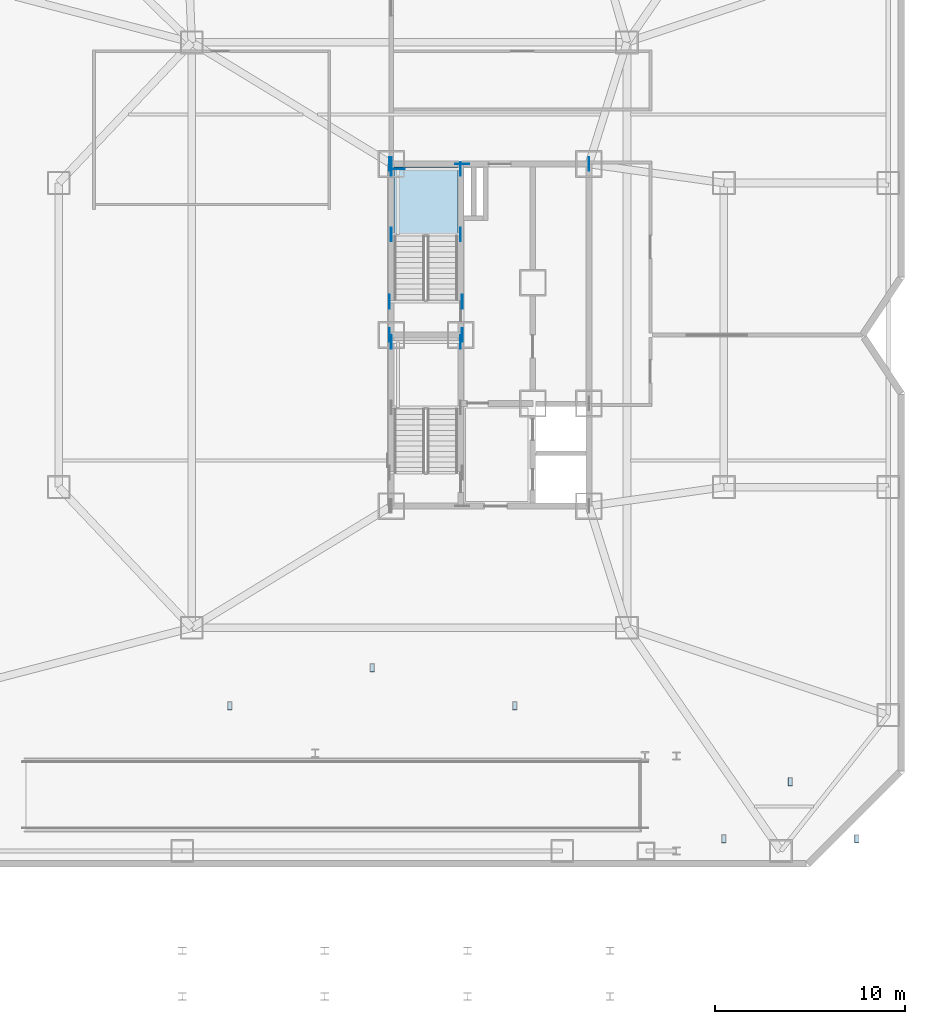
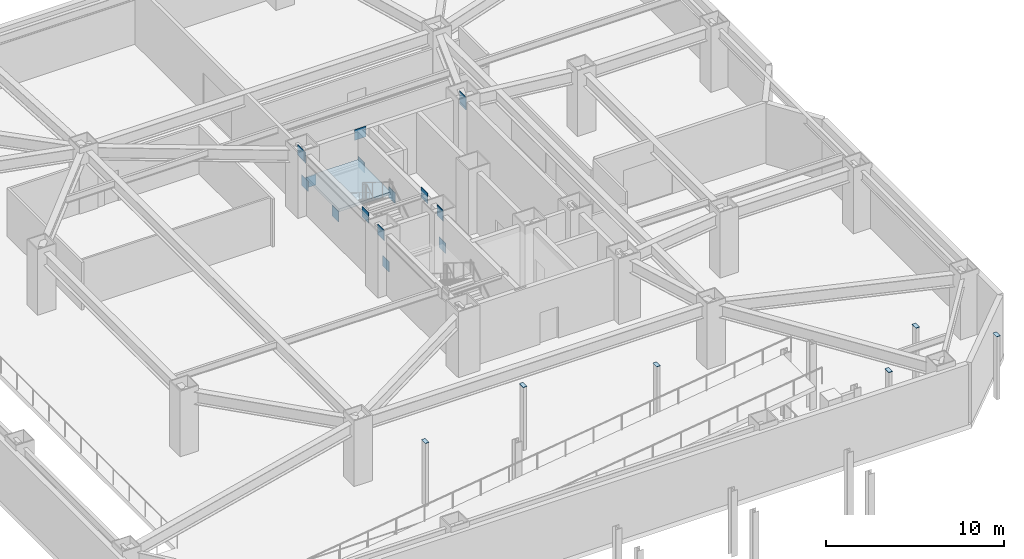
# One storey, part 8 of 14: 22 plates, 1 slab, 1 element without a shape of its own.
"""IFC4 building model written with IfcOpenShell, lengths in metres."""

from ifc_helpers import new_model, si_unit, direction, frame, origin, origin_2d, place, context, subcontext, project, spatial, polyline, rectangle, outline, extrude, material, layer, layer_set, type_object, element, aggregate, save


model = new_model("IFC4")

# Units and contexts
model_context = context("Model", 3, precision=1e-05, world=origin(), true_north=direction((0.0, 1.0)))
body_context = subcontext(model_context, "Body", "Model", "MODEL_VIEW")
ifc_project = project(units=[si_unit("LENGTHUNIT", "METRE"), si_unit("AREAUNIT", "SQUARE_METRE"), si_unit("VOLUMEUNIT", "CUBIC_METRE"), si_unit("PLANEANGLEUNIT", "RADIAN"), si_unit("MASSUNIT", "GRAM", prefix="KILO")], contexts=[model_context])

# Site, building, storey
site_placement = place(None, origin())
site = spatial("IfcSite", under=ifc_project, at=site_placement, CompositionType="ELEMENT")
building_placement = place(site_placement, origin())
building = spatial("IfcBuilding", under=site, at=building_placement, Name="Khamvora Tower", CompositionType="ELEMENT")
storey_placement = place(building_placement, frame((0.0, 0.0, -4.5)))
storey = spatial("IfcBuildingStorey", under=building, at=storey_placement, Name="B1", CompositionType="ELEMENT", Elevation=-4.5)

# Plates
ifc_material_1 = material(Name="Steel S355", Category="steel")
ifc_layer_1 = layer(ifc_material_1, 0.02490234375)
ifc_layer_set_1 = layer_set([ifc_layer_1], Name="Steel S355")
plate_type_1 = type_object("IfcPlateType", Name="PL-CAP-25", PredefinedType="SHEET", material=ifc_layer_set_1)
for number, where, z_axis, x_axis, name in (
    (1, (20.5, 8.5, 4.325439453125), (0.0, 0.0, 1.0), (1.0, 0.0, 0.0), "B1 hollow section steel end cap plate 0374"),
    (2, (35.5, 8.5, 4.325439453125), (0.0, 0.0, 1.0), (1.0, 0.0, 0.0), "B1 hollow section steel end cap plate 0375"),
    (3, (28.0, 10.5, 4.325439453125), (0.0, 0.0, 1.0), (1.0, 0.0, 0.0), "B1 hollow section steel end cap plate 0376"),
    (4, (46.5, 1.5, 4.325439453125), (0.0, 0.0, 1.0), (1.0, 0.0, 0.0), "B1 hollow section steel end cap plate 0377"),
    (5, (53.5, 1.5, 4.325439453125), (0.0, 0.0, 1.0), (1.0, 0.0, 0.0), "B1 hollow section steel end cap plate 0378"),
    (6, (50.0, 4.5, 4.325439453125), (0.0, 0.0, 1.0), (1.0, 0.0, 0.0), "B1 hollow section steel end cap plate 0379"),
):
    element("IfcPlate", number, at=place(storey_placement, frame(where, z_axis=z_axis, x_axis=x_axis)), inside=storey, type_object=plate_type_1, Name=name, PredefinedType="SHEET", context=body_context, shape_type="SweptSolid", body=[
        extrude(rectangle(XDim=0.239990234375, YDim=0.43994140625, at=origin_2d()), origin(), (0.0, 0.0, 1.0), 0.02490234375),
    ])
ifc_material_2 = material(Name="Steel S460", Category="steel")
ifc_layer_2 = layer(ifc_material_2, 0.034912109375)
ifc_layer_set_2 = layer_set([ifc_layer_2], Name="Steel S460")
plate_type_2 = type_object("IfcPlateType", Name="PL-EMB-35", PredefinedType="SHEET", material=ifc_layer_set_2)
for number, where, z_axis, x_axis, name in (
    (7, (29.0, 27.6298828125, 1.55908203125), (0.0, 0.0, 1.0), (1.0, 0.0, 0.0), "B1 core shear wall cast-in embed plate 0030"),
    (8, (32.64990234375, 27.6298828125, 1.55908203125), (0.0, 0.0, 1.0), (1.0, 0.0, 0.0), "B1 core shear wall cast-in embed plate 0031"),
    (9, (29.0, 33.294921875, 1.55908203125), (0.0, 0.0, 1.0), (1.0, 0.0, 0.0), "B1 core shear wall cast-in embed plate 0032"),
    (10, (32.64990234375, 33.294921875, 1.55908203125), (0.0, 0.0, 1.0), (1.0, 0.0, 0.0), "B1 core shear wall cast-in embed plate 0033"),
    (11, (29.0, 36.72998046875, 1.55908203125), (0.0, 0.0, 1.0), (1.0, 0.0, 0.0), "B1 core shear wall cast-in embed plate 0034"),
    (12, (32.64990234375, 36.72998046875, 1.55908203125), (0.0, 0.0, 1.0), (1.0, 0.0, 0.0), "B1 core shear wall cast-in embed plate 0035"),
):
    element("IfcPlate", number, at=place(storey_placement, frame(where, z_axis=z_axis, x_axis=x_axis)), inside=storey, type_object=plate_type_2, Name=name, PredefinedType="SHEET", context=body_context, shape_type="SweptSolid", body=[
        extrude(rectangle(XDim=0.034912109375, YDim=0.719970703125, at=origin_2d()), origin(), (0.0, 0.0, 1.0), 0.719970703125),
    ])
plate_1_placement = place(storey_placement, frame((29.35009765625, 36.72998046875, 1.55908203125), z_axis=(0.0, 0.0, 1.0), x_axis=(1.0, 0.0, 0.0)))
element("IfcPlate", 13, at=plate_1_placement, inside=storey, type_object=plate_type_2, Name="B1 core shear wall cast-in embed plate 0036", PredefinedType="SHEET", context=body_context, shape_type="SweptSolid", body=[
    extrude(rectangle(XDim=0.719970703125, YDim=0.034912109375, at=origin_2d()), origin(), (0.0, 0.0, 1.0), 0.719970703125),
])
for number, where, z_axis, x_axis, name in (
    (14, (29.0, 37.0, 3.35302734375), (0.0, 0.0, 1.0), (1.0, 0.0, 0.0), "B1 core shear wall cast-in embed plate 0039"),
    (15, (39.39990234375, 37.0, 3.35302734375), (0.0, 0.0, 1.0), (1.0, 0.0, 0.0), "B1 core shear wall cast-in embed plate 0040"),
    (16, (28.89990234375, 28.0, 3.51318359375), (0.0, 0.0, 1.0), (1.0, 0.0, 0.0), "B1 core shear wall cast-in embed plate 0042"),
    (17, (28.89990234375, 37.0, 3.51318359375), (0.0, 0.0, 1.0), (1.0, 0.0, 0.0), "B1 core shear wall cast-in embed plate 0043"),
    (18, (32.72998046875, 28.0, 3.51318359375), (0.0, 0.0, 1.0), (1.0, 0.0, 0.0), "B1 core shear wall cast-in embed plate 0045"),
):
    element("IfcPlate", number, at=place(storey_placement, frame(where, z_axis=z_axis, x_axis=x_axis)), inside=storey, type_object=plate_type_2, Name=name, PredefinedType="SHEET", context=body_context, shape_type="SweptSolid", body=[
        extrude(rectangle(XDim=0.034912109375, YDim=0.719970703125, at=origin_2d()), origin(), (0.0, 0.0, 1.0), 0.719970703125),
    ])
plate_2_placement = place(storey_placement, frame((32.72998046875, 37.0, 3.51318359375), z_axis=(0.0, 0.0, 1.0), x_axis=(1.0, 0.0, 0.0)))
element("IfcPlate", 19, at=plate_2_placement, inside=storey, type_object=plate_type_2, Name="B1 core shear wall cast-in embed plate 0046", PredefinedType="SHEET", context=body_context, shape_type="SweptSolid", body=[
    extrude(rectangle(XDim=0.719970703125, YDim=0.034912109375, at=origin_2d()), origin(), (0.0, 0.0, 1.0), 0.719970703125),
])
for number, where, z_axis, x_axis, name in (
    (20, (39.39990234375, 37.0, 3.51318359375), (0.0, 0.0, 1.0), (1.0, 0.0, 0.0), "B1 core shear wall cast-in embed plate 0049"),
    (21, (28.89990234375, 29.75, 3.65380859375), (0.0, 0.0, 1.0), (1.0, 0.0, 0.0), "B1 core shear wall cast-in embed plate 0052"),
    (22, (32.72998046875, 29.75, 3.65380859375), (0.0, 0.0, 1.0), (1.0, 0.0, 0.0), "B1 core shear wall cast-in embed plate 0053"),
):
    element("IfcPlate", number, at=place(storey_placement, frame(where, z_axis=z_axis, x_axis=x_axis)), inside=storey, type_object=plate_type_2, Name=name, PredefinedType="SHEET", context=body_context, shape_type="SweptSolid", body=[
        extrude(rectangle(XDim=0.034912109375, YDim=0.719970703125, at=origin_2d()), origin(), (0.0, 0.0, 1.0), 0.719970703125),
    ])

# Stair, slab
ifc_material_3 = material(Name="Concrete C40/50", Category="concrete")
stair_type = type_object("IfcStairType", Name="STR-ST-02", PredefinedType="HALF_TURN_STAIR", material=ifc_material_3)
stair_placement = place(storey_placement, origin())
stair = element("IfcStair", 23, at=stair_placement, inside=storey, type_object=stair_type, Name="B1 North Tower Exit Stair ST-02", PredefinedType="HALF_TURN_STAIR")
ifc_layer_3 = layer(ifc_material_3, 0.199951171875)
ifc_layer_set_3 = layer_set([ifc_layer_3], Name="Concrete C40/50")
slab_type = type_object("IfcSlabType", Name="SLB-LND-200", PredefinedType="LANDING", material=ifc_layer_set_3)
slab_placement = place(storey_placement, frame((0.0, 0.0, 2.050048828125)))
slab = element("IfcSlab", 24, at=slab_placement, type_object=slab_type, Name="ST-02 landing 1", PredefinedType="LANDING", context=body_context, shape_type="SweptSolid", body=[
    extrude(outline(polyline([(32.5, 33.175048828125), (32.5, 36.85009765625), (29.14990234375, 36.85009765625), (29.14990234375, 33.175048828125), (32.5, 33.175048828125)])), origin(), (0.0, 0.0, 1.0), 0.199951171875),
])
aggregate(stair, [slab])

save(model, "model.ifc")
